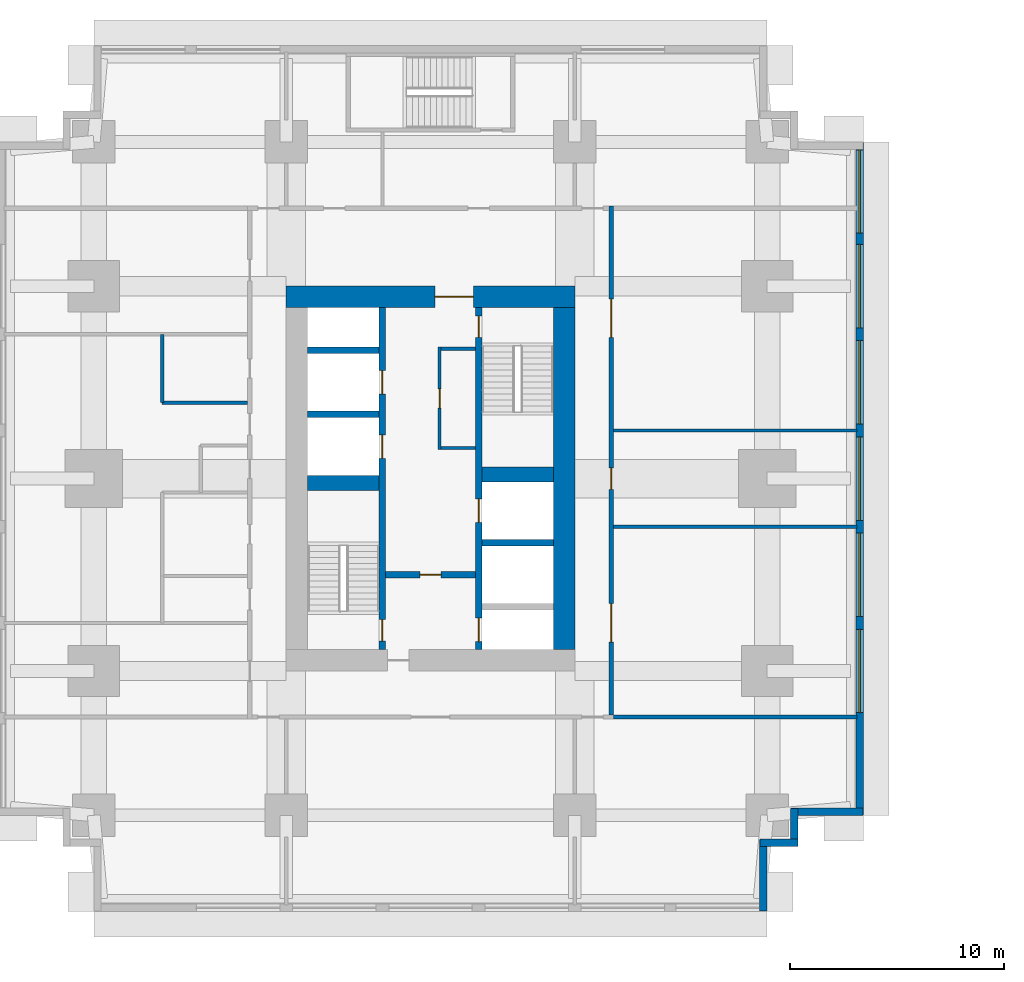
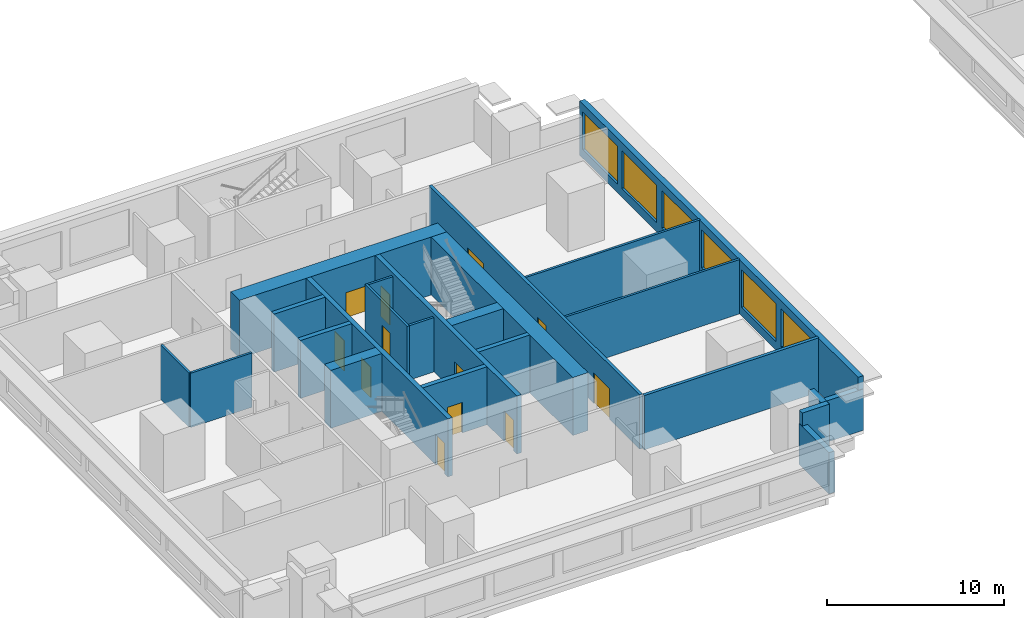
# One storey, part 4 of 11: 24 walls, 12 doors, 6 windows, 18 openings.
"""IFC4 building model written with IfcOpenShell, lengths in metres."""

from ifc_helpers import new_model, si_unit, direction, frame, frame_2d, origin, place, context, subcontext, project, spatial, rectangle, extrude, material, layer, layer_set, type_object, element, fill, save


model = new_model("IFC4")

# Units and contexts
model_context = context("Model", 3, precision=1e-05, world=origin(), true_north=direction((0.0, 1.0)))
body_context = subcontext(model_context, "Body", "Model", "MODEL_VIEW")
ifc_project = project(units=[si_unit("LENGTHUNIT", "METRE"), si_unit("AREAUNIT", "SQUARE_METRE"), si_unit("VOLUMEUNIT", "CUBIC_METRE"), si_unit("PLANEANGLEUNIT", "RADIAN"), si_unit("MASSUNIT", "GRAM", prefix="KILO")], contexts=[model_context])

# Site, building, storey
site_placement = place(None, origin())
site = spatial("IfcSite", under=ifc_project, at=site_placement, CompositionType="ELEMENT")
building_placement = place(site_placement, origin())
building = spatial("IfcBuilding", under=site, at=building_placement, Name="Namib Vertical Campus", CompositionType="ELEMENT")
storey_placement = place(building_placement, frame((0.0, 0.0, 57.0)))
storey = spatial("IfcBuildingStorey", under=building, at=storey_placement, Name="L13", CompositionType="ELEMENT", Elevation=57.0)

# Wall, openings, doors
ifc_material_1 = material(Name="Concrete C60/75", Category="concrete")
ifc_layer_1 = layer(ifc_material_1, 0.300048828125)
ifc_layer_set_1 = layer_set([ifc_layer_1], Name="Concrete C60/75")
wall_type_1 = type_object("IfcWallType", Name="Core inner wall 300", PredefinedType="SHEAR", material=ifc_layer_set_1)
wall_1_placement = place(storey_placement, frame((18.0, 12.25, 0.0), z_axis=(0.0, 0.0, 1.0), x_axis=(0.0, 1.0, 0.0)))
wall_1 = element("IfcWall", 1, at=wall_1_placement, inside=storey, type_object=wall_type_1, Name="Core inner wall A L13 W1", PredefinedType="SHEAR", context=body_context, shape_type="SweptSolid", body=[
    extrude(rectangle(XDim=16.0, YDim=0.300048828125, at=frame_2d((8.0, 0.0))), origin(), (0.0, 0.0, 1.0), 4.0),
])
opening_1_placement = place(wall_1_placement, frame((0.39990234375, 0.0, 0.0)))
opening_1 = element("IfcOpeningElement", 2, at=opening_1_placement, cuts=wall_1, Name="Opening FD1", PredefinedType="OPENING", context=body_context, shape_type="SweptSolid", body=[
    extrude(rectangle(XDim=1.0, YDim=2.10009765625, at=frame_2d((0.5, 1.050048828125))), frame((0.0, 0.159912109375, 0.0), z_axis=(0.0, -1.0, 0.0), x_axis=(1.0, 0.0, 0.0)), (0.0, 0.0, 1.0), 0.320068359375),
])
opening_2_placement = place(wall_1_placement, frame((8.949951171875, 0.0, 0.0)))
opening_2 = element("IfcOpeningElement", 3, at=opening_2_placement, cuts=wall_1, Name="Opening LD1", PredefinedType="OPENING", context=body_context, shape_type="SweptSolid", body=[
    extrude(rectangle(XDim=1.10009765625, YDim=2.10009765625, at=frame_2d((0.550048828125, 1.050048828125))), frame((0.0, 0.159912109375, 0.0), z_axis=(0.0, -1.0, 0.0), x_axis=(1.0, 0.0, 0.0)), (0.0, 0.0, 1.0), 0.320068359375),
])
opening_3_placement = place(wall_1_placement, frame((11.949951171875, 0.0, 0.0)))
opening_3 = element("IfcOpeningElement", 4, at=opening_3_placement, cuts=wall_1, Name="Opening LD1", PredefinedType="OPENING", context=body_context, shape_type="SweptSolid", body=[
    extrude(rectangle(XDim=1.10009765625, YDim=2.10009765625, at=frame_2d((0.550048828125, 1.050048828125))), frame((0.0, 0.159912109375, 0.0), z_axis=(0.0, -1.0, 0.0), x_axis=(1.0, 0.0, 0.0)), (0.0, 0.0, 1.0), 0.320068359375),
])
ifc_material_2 = material(Name="Steel fire door", Category="steel")
door_type_1 = type_object("IfcDoorType", Name="Fire door 1000x2100", OperationType="SINGLE_SWING_RIGHT", PredefinedType="DOOR", material=ifc_material_2)
door_1_placement = place(opening_1_placement, origin())
door_1 = element("IfcDoor", 5, at=door_1_placement, inside=storey, type_object=door_type_1, Name="Stair door FD1 A L13 S1", OperationType="SINGLE_SWING_LEFT", OverallHeight=2.10009765625, OverallWidth=1.0, PredefinedType="DOOR", context=body_context, shape_type="SweptSolid", body=[
    extrude(rectangle(XDim=1.0, YDim=2.10009765625, at=frame_2d((0.5, 1.050048828125))), frame((0.0, 0.02490234375, 0.0), z_axis=(0.0, -1.0, 0.0), x_axis=(1.0, 0.0, 0.0)), (0.0, 0.0, 1.0), 0.050048828125),
])
fill(opening_1, door_1)
ifc_material_3 = material(Name="Stainless steel lift door", Category="steel")
door_type_2 = type_object("IfcDoorType", Name="Lift landing door 1100x2100", OperationType="DOUBLE_DOOR_SLIDING", PredefinedType="DOOR", material=ifc_material_3)
door_2_placement = place(opening_2_placement, origin())
door_2 = element("IfcDoor", 6, at=door_2_placement, inside=storey, type_object=door_type_2, Name="Lift landing door LD1 A-P1 L13", OperationType="DOUBLE_DOOR_SLIDING", OverallHeight=2.10009765625, OverallWidth=1.10009765625, PredefinedType="DOOR", context=body_context, shape_type="SweptSolid", body=[
    extrude(rectangle(XDim=1.10009765625, YDim=2.10009765625, at=frame_2d((0.550048828125, 1.050048828125))), frame((0.0, 0.02490234375, 0.0), z_axis=(0.0, -1.0, 0.0), x_axis=(1.0, 0.0, 0.0)), (0.0, 0.0, 1.0), 0.050048828125),
])
fill(opening_2, door_2)
door_3_placement = place(opening_3_placement, origin())
door_3 = element("IfcDoor", 7, at=door_3_placement, inside=storey, type_object=door_type_2, Name="Lift landing door LD1 A-P2 L13", OperationType="DOUBLE_DOOR_SLIDING", OverallHeight=2.10009765625, OverallWidth=1.10009765625, PredefinedType="DOOR", context=body_context, shape_type="SweptSolid", body=[
    extrude(rectangle(XDim=1.10009765625, YDim=2.10009765625, at=frame_2d((0.550048828125, 1.050048828125))), frame((0.0, 0.02490234375, 0.0), z_axis=(0.0, -1.0, 0.0), x_axis=(1.0, 0.0, 0.0)), (0.0, 0.0, 1.0), 0.050048828125),
])
fill(opening_3, door_3)

wall_2_placement = place(storey_placement, frame((22.5, 12.25, 0.0), z_axis=(0.0, 0.0, 1.0), x_axis=(0.0, 1.0, 0.0)))
wall_2 = element("IfcWall", 8, at=wall_2_placement, inside=storey, type_object=wall_type_1, Name="Core inner wall A L13 W2", PredefinedType="SHEAR", context=body_context, shape_type="SweptSolid", body=[
    extrude(rectangle(XDim=16.0, YDim=0.300048828125, at=frame_2d((8.0, 0.0))), origin(), (0.0, 0.0, 1.0), 4.0),
])
opening_4_placement = place(wall_2_placement, frame((14.60009765625, 0.0, 0.0)))
opening_4 = element("IfcOpeningElement", 9, at=opening_4_placement, cuts=wall_2, Name="Opening FD1", PredefinedType="OPENING", context=body_context, shape_type="SweptSolid", body=[
    extrude(rectangle(XDim=1.0, YDim=2.10009765625, at=frame_2d((0.5, 1.050048828125))), frame((0.0, 0.159912109375, 0.0), z_axis=(0.0, -1.0, 0.0), x_axis=(1.0, 0.0, 0.0)), (0.0, 0.0, 1.0), 0.320068359375),
])
opening_5_placement = place(wall_2_placement, frame((0.375, 0.0, 0.0)))
opening_5 = element("IfcOpeningElement", 10, at=opening_5_placement, cuts=wall_2, Name="Opening LD1", PredefinedType="OPENING", context=body_context, shape_type="SweptSolid", body=[
    extrude(rectangle(XDim=1.10009765625, YDim=2.10009765625, at=frame_2d((0.550048828125, 1.050048828125))), frame((0.0, 0.159912109375, 0.0), z_axis=(0.0, -1.0, 0.0), x_axis=(1.0, 0.0, 0.0)), (0.0, 0.0, 1.0), 0.320068359375),
])
opening_6_placement = place(wall_2_placement, frame((5.949951171875, 0.0, 0.0)))
opening_6 = element("IfcOpeningElement", 11, at=opening_6_placement, cuts=wall_2, Name="Opening LD1", PredefinedType="OPENING", context=body_context, shape_type="SweptSolid", body=[
    extrude(rectangle(XDim=1.10009765625, YDim=2.10009765625, at=frame_2d((0.550048828125, 1.050048828125))), frame((0.0, 0.159912109375, 0.0), z_axis=(0.0, -1.0, 0.0), x_axis=(1.0, 0.0, 0.0)), (0.0, 0.0, 1.0), 0.320068359375),
])
door_4_placement = place(opening_4_placement, frame((1.0, 0.0, 0.0), z_axis=(0.0, 0.0, 1.0), x_axis=(-1.0, 0.0, 0.0)))
door_4 = element("IfcDoor", 12, at=door_4_placement, inside=storey, type_object=door_type_1, Name="Stair door FD1 A L13 S2", OperationType="SINGLE_SWING_LEFT", OverallHeight=2.10009765625, OverallWidth=1.0, PredefinedType="DOOR", context=body_context, shape_type="SweptSolid", body=[
    extrude(rectangle(XDim=1.0, YDim=2.10009765625, at=frame_2d((0.5, 1.050048828125))), frame((0.0, 0.02490234375, 0.0), z_axis=(0.0, -1.0, 0.0), x_axis=(1.0, 0.0, 0.0)), (0.0, 0.0, 1.0), 0.050048828125),
])
fill(opening_4, door_4)
door_5_placement = place(opening_5_placement, origin())
door_5 = element("IfcDoor", 13, at=door_5_placement, inside=storey, type_object=door_type_2, Name="Lift landing door LD1 A-FL1 L13", OperationType="DOUBLE_DOOR_SLIDING", OverallHeight=2.10009765625, OverallWidth=1.10009765625, PredefinedType="DOOR", context=body_context, shape_type="SweptSolid", body=[
    extrude(rectangle(XDim=1.10009765625, YDim=2.10009765625, at=frame_2d((0.550048828125, 1.050048828125))), frame((0.0, 0.02490234375, 0.0), z_axis=(0.0, -1.0, 0.0), x_axis=(1.0, 0.0, 0.0)), (0.0, 0.0, 1.0), 0.050048828125),
])
fill(opening_5, door_5)
door_6_placement = place(opening_6_placement, origin())
door_6 = element("IfcDoor", 14, at=door_6_placement, inside=storey, type_object=door_type_2, Name="Lift landing door LD1 A-P5 L13", OperationType="DOUBLE_DOOR_SLIDING", OverallHeight=2.10009765625, OverallWidth=1.10009765625, PredefinedType="DOOR", context=body_context, shape_type="SweptSolid", body=[
    extrude(rectangle(XDim=1.10009765625, YDim=2.10009765625, at=frame_2d((0.550048828125, 1.050048828125))), frame((0.0, 0.02490234375, 0.0), z_axis=(0.0, -1.0, 0.0), x_axis=(1.0, 0.0, 0.0)), (0.0, 0.0, 1.0), 0.050048828125),
])
fill(opening_6, door_6)

# Wall, opening, door
wall_3_placement = place(storey_placement, frame((18.14990234375, 15.75, 0.0), z_axis=(0.0, 0.0, 1.0), x_axis=(1.0, 0.0, 0.0)))
wall_3 = element("IfcWall", 15, at=wall_3_placement, inside=storey, type_object=wall_type_1, Name="Core inner wall A L13 W4", PredefinedType="SHEAR", context=body_context, shape_type="SweptSolid", body=[
    extrude(rectangle(XDim=4.2001953125, YDim=0.300048828125, at=frame_2d((2.10009765625, 0.0))), origin(), (0.0, 0.0, 1.0), 4.0),
])
opening_7_placement = place(wall_3_placement, frame((1.60009765625, 0.0, 0.0)))
opening_7 = element("IfcOpeningElement", 16, at=opening_7_placement, cuts=wall_3, Name="Opening FD5", PredefinedType="OPENING", context=body_context, shape_type="SweptSolid", body=[
    extrude(rectangle(XDim=1.0, YDim=2.10009765625, at=frame_2d((0.5, 1.050048828125))), frame((0.0, 0.159912109375, 0.0), z_axis=(0.0, -1.0, 0.0), x_axis=(1.0, 0.0, 0.0)), (0.0, 0.0, 1.0), 0.320068359375),
])
ifc_material_4 = material(Name="Steel fire door", Category="steel")
door_type_3 = type_object("IfcDoorType", Name="Fire door 1000x2100 120 min", OperationType="SINGLE_SWING_RIGHT", PredefinedType="DOOR", material=ifc_material_4)
door_7_placement = place(opening_7_placement, frame((1.0, 0.0, 0.0), z_axis=(0.0, 0.0, 1.0), x_axis=(-1.0, 0.0, 0.0)))
door_7 = element("IfcDoor", 17, at=door_7_placement, inside=storey, type_object=door_type_3, Name="Lobby door FD5 A L13", OperationType="SINGLE_SWING_RIGHT", OverallHeight=2.10009765625, OverallWidth=1.0, PredefinedType="DOOR", context=body_context, shape_type="SweptSolid", body=[
    extrude(rectangle(XDim=1.0, YDim=2.10009765625, at=frame_2d((0.5, 1.050048828125))), frame((0.0, 0.02490234375, 0.0), z_axis=(0.0, -1.0, 0.0), x_axis=(1.0, 0.0, 0.0)), (0.0, 0.0, 1.0), 0.050048828125),
])
fill(opening_7, door_7)

# Walls
for number, where, z_axis, x_axis, name in (
    (18, (22.64990234375, 17.25, 0.0), (0.0, 0.0, 1.0), (1.0, 0.0, 0.0), "Core inner wall A L13 W6"),
    (19, (14.5, 23.25, 0.0), (0.0, 0.0, 1.0), (1.0, 0.0, 0.0), "Core inner wall A L13 W8"),
    (20, (14.5, 26.25, 0.0), (0.0, 0.0, 1.0), (1.0, 0.0, 0.0), "Core inner wall A L13 W9"),
):
    element("IfcWall", number, at=place(storey_placement, frame(where, z_axis=z_axis, x_axis=x_axis)), inside=storey, type_object=wall_type_1, Name=name, PredefinedType="SHEAR", context=body_context, shape_type="SweptSolid", body=[
        extrude(rectangle(XDim=3.35009765625, YDim=0.300048828125, at=frame_2d((1.675048828125, 0.0))), origin(), (0.0, 0.0, 1.0), 4.0),
    ])
ifc_material_5 = material(Name="Concrete C60/75", Category="concrete")
ifc_layer_2 = layer(ifc_material_5, 0.699951171875)
ifc_layer_set_2 = layer_set([ifc_layer_2], Name="Concrete C60/75")
wall_type_2 = type_object("IfcWallType", Name="Core shear wall 700", PredefinedType="SHEAR", material=ifc_layer_set_2)
for number, where, z_axis, x_axis, name in (
    (21, (14.5, 20.050048828125, 0.0), (0.0, 0.0, 1.0), (1.0, 0.0, 0.0), "Core shear wall A L13 W3"),
    (22, (22.64990234375, 20.449951171875, 0.0), (0.0, 0.0, 1.0), (1.0, 0.0, 0.0), "Core shear wall A L13 W7"),
):
    element("IfcWall", number, at=place(storey_placement, frame(where, z_axis=z_axis, x_axis=x_axis)), inside=storey, type_object=wall_type_2, Name=name, PredefinedType="SHEAR", context=body_context, shape_type="SweptSolid", body=[
        extrude(rectangle(XDim=3.35009765625, YDim=0.699951171875, at=frame_2d((1.675048828125, 0.0))), origin(), (0.0, 0.0, 1.0), 4.0),
    ])
ifc_material_6 = material(Name="Concrete C60/75", Category="concrete")
ifc_layer_3 = layer(ifc_material_6, 1.0)
ifc_layer_set_3 = layer_set([ifc_layer_3], Name="Concrete C60/75")
wall_type_3 = type_object("IfcWallType", Name="Core wall 1000", PredefinedType="SHEAR", material=ifc_layer_set_3)
wall_4_placement = place(storey_placement, frame((26.5, 12.25, 0.0), z_axis=(0.0, 0.0, 1.0), x_axis=(0.0, 1.0, 0.0)))
element("IfcWall", 23, at=wall_4_placement, inside=storey, type_object=wall_type_3, Name="Core wall A L13 2", PredefinedType="SHEAR", context=body_context, shape_type="SweptSolid", body=[
    extrude(rectangle(XDim=16.0, YDim=1.0, at=frame_2d((8.0, 0.0))), origin(), (0.0, 0.0, 1.0), 4.0),
])

# Wall, opening, door
wall_5_placement = place(storey_placement, frame((27.0, 28.75, 0.0), z_axis=(0.0, 0.0, 1.0), x_axis=(-1.0, 0.0, 0.0)))
wall_5 = element("IfcWall", 24, at=wall_5_placement, inside=storey, type_object=wall_type_3, Name="Core wall A L13 3", PredefinedType="SHEAR", context=body_context, shape_type="SweptSolid", body=[
    extrude(rectangle(XDim=13.5, YDim=1.0, at=frame_2d((6.75, 0.0))), origin(), (0.0, 0.0, 1.0), 4.0),
])
opening_8_placement = place(wall_5_placement, frame((4.75, 0.0, 0.0)))
opening_8 = element("IfcOpeningElement", 25, at=opening_8_placement, cuts=wall_5, Name="Opening FD2", PredefinedType="OPENING", context=body_context, shape_type="SweptSolid", body=[
    extrude(rectangle(XDim=1.800048828125, YDim=2.10009765625, at=frame_2d((0.89990234375, 1.050048828125))), frame((0.0, 0.510009765625, 0.0), z_axis=(0.0, -1.0, 0.0), x_axis=(1.0, 0.0, 0.0)), (0.0, 0.0, 1.0), 1.02001953125),
])
ifc_material_7 = material(Name="Steel fire door", Category="steel")
door_type_4 = type_object("IfcDoorType", Name="Fire door double 1800x2100", OperationType="DOUBLE_DOOR_SINGLE_SWING", PredefinedType="DOOR", material=ifc_material_7)
door_8_placement = place(opening_8_placement, origin())
door_8 = element("IfcDoor", 26, at=door_8_placement, inside=storey, type_object=door_type_4, Name="Lift lobby door FD2 A L13", OperationType="DOUBLE_DOOR_SINGLE_SWING", OverallHeight=2.10009765625, OverallWidth=1.800048828125, PredefinedType="DOOR", context=body_context, shape_type="SweptSolid", body=[
    extrude(rectangle(XDim=1.800048828125, YDim=2.10009765625, at=frame_2d((0.89990234375, 1.050048828125))), frame((0.0, 0.02490234375, 0.0), z_axis=(0.0, -1.0, 0.0), x_axis=(1.0, 0.0, 0.0)), (0.0, 0.0, 1.0), 0.050048828125),
])
fill(opening_8, door_8)

# Wall, openings, doors
ifc_material_8 = material(Name="Concrete masonry", Category="masonry")
ifc_layer_4 = layer(ifc_material_8, 0.199951171875)
ifc_layer_set_4 = layer_set([ifc_layer_4], Name="Corridor wall 200")
wall_type_4 = type_object("IfcWallType", Name="Corridor wall 200", PredefinedType="SOLIDWALL", material=ifc_layer_set_4)
wall_6_placement = place(storey_placement, frame((28.699951171875, 9.199951171875, 0.0), z_axis=(0.0, 0.0, 1.0), x_axis=(0.0, 1.0, 0.0)))
wall_6 = element("IfcWall", 27, at=wall_6_placement, inside=storey, type_object=wall_type_4, Name="Corridor wall A L13 CE", PredefinedType="SOLIDWALL", context=body_context, shape_type="SweptSolid", body=[
    extrude(rectangle(XDim=23.800048828125, YDim=0.199951171875, at=frame_2d((11.89990234375, 0.0))), origin(), (0.0, 0.0, 1.0), 3.75),
])
opening_9_placement = place(wall_6_placement, frame((3.39990234375, 0.0, 0.0)))
opening_9 = element("IfcOpeningElement", 28, at=opening_9_placement, cuts=wall_6, Name="Opening CD2", PredefinedType="OPENING", context=body_context, shape_type="SweptSolid", body=[
    extrude(rectangle(XDim=1.800048828125, YDim=2.10009765625, at=frame_2d((0.89990234375, 1.050048828125))), frame((0.0, 0.10986328125, 0.0), z_axis=(0.0, -1.0, 0.0), x_axis=(1.0, 0.0, 0.0)), (0.0, 0.0, 1.0), 0.219970703125),
])
opening_10_placement = place(wall_6_placement, frame((10.550048828125, 0.0, 0.0)))
opening_10 = element("IfcOpeningElement", 29, at=opening_10_placement, cuts=wall_6, Name="Opening CD1", PredefinedType="OPENING", context=body_context, shape_type="SweptSolid", body=[
    extrude(rectangle(XDim=1.0, YDim=2.10009765625, at=frame_2d((0.5, 1.050048828125))), frame((0.0, 0.10986328125, 0.0), z_axis=(0.0, -1.0, 0.0), x_axis=(1.0, 0.0, 0.0)), (0.0, 0.0, 1.0), 0.219970703125),
])
opening_11_placement = place(wall_6_placement, frame((17.64990234375, 0.0, 0.0)))
opening_11 = element("IfcOpeningElement", 30, at=opening_11_placement, cuts=wall_6, Name="Opening CD2", PredefinedType="OPENING", context=body_context, shape_type="SweptSolid", body=[
    extrude(rectangle(XDim=1.800048828125, YDim=2.10009765625, at=frame_2d((0.89990234375, 1.050048828125))), frame((0.0, 0.10986328125, 0.0), z_axis=(0.0, -1.0, 0.0), x_axis=(1.0, 0.0, 0.0)), (0.0, 0.0, 1.0), 0.219970703125),
])
ifc_material_9 = material(Name="Timber fire door leaf", Category="wood")
door_type_5 = type_object("IfcDoorType", Name="Corridor door 1000x2100 20 min", OperationType="SINGLE_SWING_LEFT", PredefinedType="DOOR", material=ifc_material_9)
door_9_placement = place(opening_10_placement, frame((1.0, 0.0, 0.0), z_axis=(0.0, 0.0, 1.0), x_axis=(-1.0, 0.0, 0.0)))
door_9 = element("IfcDoor", 31, at=door_9_placement, inside=storey, type_object=door_type_5, Name="Door CD1 A13-05", OperationType="SINGLE_SWING_RIGHT", OverallHeight=2.10009765625, OverallWidth=1.0, PredefinedType="DOOR", context=body_context, shape_type="SweptSolid", body=[
    extrude(rectangle(XDim=1.0, YDim=2.10009765625, at=frame_2d((0.5, 1.050048828125))), frame((0.0, 0.02490234375, 0.0), z_axis=(0.0, -1.0, 0.0), x_axis=(1.0, 0.0, 0.0)), (0.0, 0.0, 1.0), 0.050048828125),
])
fill(opening_10, door_9)
ifc_material_10 = material(Name="Timber fire door leaf", Category="wood")
door_type_6 = type_object("IfcDoorType", Name="Corridor door double 1800x2100 20 min", OperationType="DOUBLE_DOOR_SINGLE_SWING", PredefinedType="DOOR", material=ifc_material_10)
door_10_placement = place(opening_9_placement, frame((1.800048828125, 0.0, 0.0), z_axis=(0.0, 0.0, 1.0), x_axis=(-1.0, 0.0, 0.0)))
door_10 = element("IfcDoor", 32, at=door_10_placement, inside=storey, type_object=door_type_6, Name="Door CD2 A13-04", OperationType="DOUBLE_DOOR_SINGLE_SWING", OverallHeight=2.10009765625, OverallWidth=1.800048828125, PredefinedType="DOOR", context=body_context, shape_type="SweptSolid", body=[
    extrude(rectangle(XDim=1.800048828125, YDim=2.10009765625, at=frame_2d((0.89990234375, 1.050048828125))), frame((0.0, 0.02490234375, 0.0), z_axis=(0.0, -1.0, 0.0), x_axis=(1.0, 0.0, 0.0)), (0.0, 0.0, 1.0), 0.050048828125),
])
fill(opening_9, door_10)
door_11_placement = place(opening_11_placement, frame((1.800048828125, 0.0, 0.0), z_axis=(0.0, 0.0, 1.0), x_axis=(-1.0, 0.0, 0.0)))
door_11 = element("IfcDoor", 33, at=door_11_placement, inside=storey, type_object=door_type_6, Name="Door CD2 A13-06", OperationType="DOUBLE_DOOR_SINGLE_SWING", OverallHeight=2.10009765625, OverallWidth=1.800048828125, PredefinedType="DOOR", context=body_context, shape_type="SweptSolid", body=[
    extrude(rectangle(XDim=1.800048828125, YDim=2.10009765625, at=frame_2d((0.89990234375, 1.050048828125))), frame((0.0, 0.02490234375, 0.0), z_axis=(0.0, -1.0, 0.0), x_axis=(1.0, 0.0, 0.0)), (0.0, 0.0, 1.0), 0.050048828125),
])
fill(opening_11, door_11)

# Walls
wall_7_placement = place(storey_placement, frame((28.800048828125, 9.10009765625, 0.0), z_axis=(0.0, 0.0, 1.0), x_axis=(1.0, 0.0, 0.0)))
element("IfcWall", 34, at=wall_7_placement, inside=storey, type_object=wall_type_4, Name="Partition A L13 BSE", PredefinedType="SOLIDWALL", context=body_context, shape_type="SweptSolid", body=[
    extrude(rectangle(XDim=11.39990234375, YDim=0.199951171875, at=frame_2d((5.699951171875, 0.0))), origin(), (0.0, 0.0, 1.0), 3.75),
])
ifc_material_11 = material(Name="Concrete C40/50", Category="concrete")
ifc_layer_5 = layer(ifc_material_11, 0.35009765625)
ifc_layer_set_5 = layer_set([ifc_layer_5], Name="Concrete C40/50")
wall_type_5 = type_object("IfcWallType", Name="External wall 350 bush-hammered concrete", PredefinedType="STANDARD", material=ifc_layer_set_5)
wall_8_placement = place(storey_placement, frame((35.824951171875, 0.02001953125, 0.0), z_axis=(0.0, 0.0, 1.0), x_axis=(0.0, 1.0, 0.0)))
element("IfcWall", 35, at=wall_8_placement, inside=storey, type_object=wall_type_5, Name="External wall L13 F02", PredefinedType="STANDARD", context=body_context, shape_type="SweptSolid", body=[
    extrude(rectangle(XDim=3.35986328125, YDim=0.35009765625, at=frame_2d((1.679931640625, 0.0))), origin(), (0.0, 0.0, 1.0), 2.85009765625),
])
for number, where, z_axis, x_axis, name in (
    (36, (35.669921875, 3.22509765625, 0.0), (0.0, 0.0, 1.0), (1.0, 0.0, 0.0), "External wall L13 F03"),
    (37, (37.27490234375, 3.070068359375, 0.0), (0.0, 0.0, 1.0), (0.0, 1.0, 0.0), "External wall L13 F04"),
):
    element("IfcWall", number, at=place(storey_placement, frame(where, z_axis=z_axis, x_axis=x_axis)), inside=storey, type_object=wall_type_5, Name=name, PredefinedType="STANDARD", context=body_context, shape_type="SweptSolid", body=[
        extrude(rectangle(XDim=1.760009765625, YDim=0.35009765625, at=frame_2d((0.8798828125, 0.0))), origin(), (0.0, 0.0, 1.0), 3.75),
    ])
wall_9_placement = place(storey_placement, frame((37.1201171875, 4.675048828125, 0.0), z_axis=(0.0, 0.0, 1.0), x_axis=(1.0, 0.0, 0.0)))
element("IfcWall", 38, at=wall_9_placement, inside=storey, type_object=wall_type_5, Name="External wall L13 F05", PredefinedType="STANDARD", context=body_context, shape_type="SweptSolid", body=[
    extrude(rectangle(XDim=3.35986328125, YDim=0.35009765625, at=frame_2d((1.679931640625, 0.0))), origin(), (0.0, 0.0, 1.0), 2.85009765625),
])

# Wall, openings, windows
wall_10_placement = place(storey_placement, frame((40.324951171875, 4.52001953125, 0.0), z_axis=(0.0, 0.0, 1.0), x_axis=(0.0, 1.0, 0.0)))
wall_10 = element("IfcWall", 39, at=wall_10_placement, inside=storey, type_object=wall_type_5, Name="External wall L13 F06", PredefinedType="STANDARD", context=body_context, shape_type="SweptSolid", body=[
    extrude(rectangle(XDim=31.4599609375, YDim=0.35009765625, at=frame_2d((15.72998046875, 0.0))), origin(), (0.0, 0.0, 1.0), 3.75),
])
opening_12_placement = place(wall_10_placement, frame((4.780029296875, 0.0, 0.60009765625)))
opening_12 = element("IfcOpeningElement", 40, at=opening_12_placement, cuts=wall_10, Name="Opening W2", PredefinedType="OPENING", context=body_context, shape_type="SweptSolid", body=[
    extrude(rectangle(XDim=3.89990234375, YDim=2.60009765625, at=frame_2d((1.949951171875, 1.300048828125))), frame((0.0, 0.18505859375, 0.0), z_axis=(0.0, -1.0, 0.0), x_axis=(1.0, 0.0, 0.0)), (0.0, 0.0, 1.0), 0.3701171875),
])
opening_13_placement = place(wall_10_placement, frame((9.280029296875, 0.0, 0.60009765625)))
opening_13 = element("IfcOpeningElement", 41, at=opening_13_placement, cuts=wall_10, Name="Opening W2", PredefinedType="OPENING", context=body_context, shape_type="SweptSolid", body=[
    extrude(rectangle(XDim=3.89990234375, YDim=2.60009765625, at=frame_2d((1.949951171875, 1.300048828125))), frame((0.0, 0.18505859375, 0.0), z_axis=(0.0, -1.0, 0.0), x_axis=(1.0, 0.0, 0.0)), (0.0, 0.0, 1.0), 0.3701171875),
])
opening_14_placement = place(wall_10_placement, frame((13.780029296875, 0.0, 0.60009765625)))
opening_14 = element("IfcOpeningElement", 42, at=opening_14_placement, cuts=wall_10, Name="Opening W2", PredefinedType="OPENING", context=body_context, shape_type="SweptSolid", body=[
    extrude(rectangle(XDim=3.89990234375, YDim=2.60009765625, at=frame_2d((1.949951171875, 1.300048828125))), frame((0.0, 0.18505859375, 0.0), z_axis=(0.0, -1.0, 0.0), x_axis=(1.0, 0.0, 0.0)), (0.0, 0.0, 1.0), 0.3701171875),
])
opening_15_placement = place(wall_10_placement, frame((18.280029296875, 0.0, 0.60009765625)))
opening_15 = element("IfcOpeningElement", 43, at=opening_15_placement, cuts=wall_10, Name="Opening W2", PredefinedType="OPENING", context=body_context, shape_type="SweptSolid", body=[
    extrude(rectangle(XDim=3.89990234375, YDim=2.60009765625, at=frame_2d((1.949951171875, 1.300048828125))), frame((0.0, 0.18505859375, 0.0), z_axis=(0.0, -1.0, 0.0), x_axis=(1.0, 0.0, 0.0)), (0.0, 0.0, 1.0), 0.3701171875),
])
opening_16_placement = place(wall_10_placement, frame((22.780029296875, 0.0, 0.60009765625)))
opening_16 = element("IfcOpeningElement", 44, at=opening_16_placement, cuts=wall_10, Name="Opening W2", PredefinedType="OPENING", context=body_context, shape_type="SweptSolid", body=[
    extrude(rectangle(XDim=3.89990234375, YDim=2.60009765625, at=frame_2d((1.949951171875, 1.300048828125))), frame((0.0, 0.18505859375, 0.0), z_axis=(0.0, -1.0, 0.0), x_axis=(1.0, 0.0, 0.0)), (0.0, 0.0, 1.0), 0.3701171875),
])
opening_17_placement = place(wall_10_placement, frame((27.2099609375, 0.0, 0.60009765625)))
opening_17 = element("IfcOpeningElement", 45, at=opening_17_placement, cuts=wall_10, Name="Opening W2", PredefinedType="OPENING", context=body_context, shape_type="SweptSolid", body=[
    extrude(rectangle(XDim=3.89990234375, YDim=2.60009765625, at=frame_2d((1.949951171875, 1.300048828125))), frame((0.0, 0.18505859375, 0.0), z_axis=(0.0, -1.0, 0.0), x_axis=(1.0, 0.0, 0.0)), (0.0, 0.0, 1.0), 0.3701171875),
])
ifc_material_12 = material(Name="Dark tinted glass in black aluminium frame", Category="aluminium")
window_type = type_object("IfcWindowType", Name="Ribbon window 3900x2600", PartitioningType="SINGLE_PANEL", PredefinedType="WINDOW", material=ifc_material_12)
window_1_placement = place(opening_12_placement, origin())
window_1 = element("IfcWindow", 46, at=window_1_placement, inside=storey, type_object=window_type, Name="Window W2 L13 F06-2", OverallHeight=2.60009765625, OverallWidth=3.89990234375, PartitioningType="SINGLE_PANEL", PredefinedType="WINDOW", context=body_context, shape_type="SweptSolid", body=[
    extrude(rectangle(XDim=3.89990234375, YDim=2.60009765625, at=frame_2d((1.949951171875, 1.300048828125))), frame((0.0, 0.030029296875, 0.0), z_axis=(0.0, -1.0, 0.0), x_axis=(1.0, 0.0, 0.0)), (0.0, 0.0, 1.0), 0.06005859375),
])
fill(opening_12, window_1)
window_2_placement = place(opening_13_placement, origin())
window_2 = element("IfcWindow", 47, at=window_2_placement, inside=storey, type_object=window_type, Name="Window W2 L13 F06-3", OverallHeight=2.60009765625, OverallWidth=3.89990234375, PartitioningType="SINGLE_PANEL", PredefinedType="WINDOW", context=body_context, shape_type="SweptSolid", body=[
    extrude(rectangle(XDim=3.89990234375, YDim=2.60009765625, at=frame_2d((1.949951171875, 1.300048828125))), frame((0.0, 0.030029296875, 0.0), z_axis=(0.0, -1.0, 0.0), x_axis=(1.0, 0.0, 0.0)), (0.0, 0.0, 1.0), 0.06005859375),
])
fill(opening_13, window_2)
window_3_placement = place(opening_14_placement, origin())
window_3 = element("IfcWindow", 48, at=window_3_placement, inside=storey, type_object=window_type, Name="Window W2 L13 F06-4", OverallHeight=2.60009765625, OverallWidth=3.89990234375, PartitioningType="SINGLE_PANEL", PredefinedType="WINDOW", context=body_context, shape_type="SweptSolid", body=[
    extrude(rectangle(XDim=3.89990234375, YDim=2.60009765625, at=frame_2d((1.949951171875, 1.300048828125))), frame((0.0, 0.030029296875, 0.0), z_axis=(0.0, -1.0, 0.0), x_axis=(1.0, 0.0, 0.0)), (0.0, 0.0, 1.0), 0.06005859375),
])
fill(opening_14, window_3)
window_4_placement = place(opening_15_placement, origin())
window_4 = element("IfcWindow", 49, at=window_4_placement, inside=storey, type_object=window_type, Name="Window W2 L13 F06-5", OverallHeight=2.60009765625, OverallWidth=3.89990234375, PartitioningType="SINGLE_PANEL", PredefinedType="WINDOW", context=body_context, shape_type="SweptSolid", body=[
    extrude(rectangle(XDim=3.89990234375, YDim=2.60009765625, at=frame_2d((1.949951171875, 1.300048828125))), frame((0.0, 0.030029296875, 0.0), z_axis=(0.0, -1.0, 0.0), x_axis=(1.0, 0.0, 0.0)), (0.0, 0.0, 1.0), 0.06005859375),
])
fill(opening_15, window_4)
window_5_placement = place(opening_16_placement, origin())
window_5 = element("IfcWindow", 50, at=window_5_placement, inside=storey, type_object=window_type, Name="Window W2 L13 F06-6", OverallHeight=2.60009765625, OverallWidth=3.89990234375, PartitioningType="SINGLE_PANEL", PredefinedType="WINDOW", context=body_context, shape_type="SweptSolid", body=[
    extrude(rectangle(XDim=3.89990234375, YDim=2.60009765625, at=frame_2d((1.949951171875, 1.300048828125))), frame((0.0, 0.030029296875, 0.0), z_axis=(0.0, -1.0, 0.0), x_axis=(1.0, 0.0, 0.0)), (0.0, 0.0, 1.0), 0.06005859375),
])
fill(opening_16, window_5)
window_6_placement = place(opening_17_placement, origin())
window_6 = element("IfcWindow", 51, at=window_6_placement, inside=storey, type_object=window_type, Name="Window W2 L13 F06-7", OverallHeight=2.60009765625, OverallWidth=3.89990234375, PartitioningType="SINGLE_PANEL", PredefinedType="WINDOW", context=body_context, shape_type="SweptSolid", body=[
    extrude(rectangle(XDim=3.89990234375, YDim=2.60009765625, at=frame_2d((1.949951171875, 1.300048828125))), frame((0.0, 0.030029296875, 0.0), z_axis=(0.0, -1.0, 0.0), x_axis=(1.0, 0.0, 0.0)), (0.0, 0.0, 1.0), 0.06005859375),
])
fill(opening_17, window_6)

# Wall, opening, door
ifc_material_13 = material(Name="Gypsum board on steel studs", Category="steel")
ifc_layer_6 = layer(ifc_material_13, 0.14990234375)
ifc_layer_set_6 = layer_set([ifc_layer_6], Name="Gypsum board on steel studs")
wall_type_6 = type_object("IfcWallType", Name="Partition 150", PredefinedType="PARTITIONING", material=ifc_layer_set_6)
wall_11_placement = place(storey_placement, frame((20.675048828125, 21.60009765625, 0.0), z_axis=(0.0, 0.0, 1.0), x_axis=(0.0, 1.0, 0.0)))
wall_11 = element("IfcWall", 52, at=wall_11_placement, inside=storey, type_object=wall_type_6, Name="Partition A L13 Staff pantry front", PredefinedType="PARTITIONING", context=body_context, shape_type="SweptSolid", body=[
    extrude(rectangle(XDim=4.7998046875, YDim=0.14990234375, at=frame_2d((2.39990234375, 0.0))), origin(), (0.0, 0.0, 1.0), 3.75),
])
opening_18_placement = place(wall_11_placement, frame((1.949951171875, 0.0, 0.0)))
opening_18 = element("IfcOpeningElement", 53, at=opening_18_placement, cuts=wall_11, Name="Opening D3", PredefinedType="OPENING", context=body_context, shape_type="SweptSolid", body=[
    extrude(rectangle(XDim=0.89990234375, YDim=2.10009765625, at=frame_2d((0.449951171875, 1.050048828125))), frame((0.0, 0.0849609375, 0.0), z_axis=(0.0, -1.0, 0.0), x_axis=(1.0, 0.0, 0.0)), (0.0, 0.0, 1.0), 0.169921875),
])
ifc_material_14 = material(Name="Timber door leaf", Category="wood")
door_type_7 = type_object("IfcDoorType", Name="Toilet door 900x2100", OperationType="SINGLE_SWING_LEFT", PredefinedType="DOOR", material=ifc_material_14)
door_12_placement = place(opening_18_placement, frame((0.89990234375, 0.0, 0.0), z_axis=(0.0, 0.0, 1.0), x_axis=(-1.0, 0.0, 0.0)))
door_12 = element("IfcDoor", 54, at=door_12_placement, inside=storey, type_object=door_type_7, Name="Door D3 Staff pantry A L13", OperationType="SINGLE_SWING_RIGHT", OverallHeight=2.10009765625, OverallWidth=0.89990234375, PredefinedType="DOOR", context=body_context, shape_type="SweptSolid", body=[
    extrude(rectangle(XDim=0.89990234375, YDim=2.10009765625, at=frame_2d((0.449951171875, 1.050048828125))), frame((0.0, 0.02490234375, 0.0), z_axis=(0.0, -1.0, 0.0), x_axis=(1.0, 0.0, 0.0)), (0.0, 0.0, 1.0), 0.050048828125),
])
fill(opening_18, door_12)

# Walls
for number, where, z_axis, x_axis, name in (
    (55, (20.75, 21.675048828125, 0.0), (0.0, 0.0, 1.0), (1.0, 0.0, 0.0), "Partition A L13 Staff pantry end 1"),
    (56, (20.75, 26.324951171875, 0.0), (0.0, 0.0, 1.0), (1.0, 0.0, 0.0), "Partition A L13 Staff pantry end 2"),
):
    element("IfcWall", number, at=place(storey_placement, frame(where, z_axis=z_axis, x_axis=x_axis)), inside=storey, type_object=wall_type_6, Name=name, PredefinedType="PARTITIONING", context=body_context, shape_type="SweptSolid", body=[
        extrude(rectangle(XDim=1.60009765625, YDim=0.14990234375, at=frame_2d((0.800048828125, 0.0))), origin(), (0.0, 0.0, 1.0), 3.75),
    ])
for number, where, z_axis, x_axis, name in (
    (57, (28.800048828125, 18.0, 0.0), (0.0, 0.0, 1.0), (1.0, 0.0, 0.0), "Partition A L13 PE1"),
    (58, (28.800048828125, 22.5, 0.0), (0.0, 0.0, 1.0), (1.0, 0.0, 0.0), "Partition A L13 PE2"),
):
    element("IfcWall", number, at=place(storey_placement, frame(where, z_axis=z_axis, x_axis=x_axis)), inside=storey, type_object=wall_type_6, Name=name, PredefinedType="PARTITIONING", context=body_context, shape_type="SweptSolid", body=[
        extrude(rectangle(XDim=11.39990234375, YDim=0.14990234375, at=frame_2d((5.699951171875, 0.0))), origin(), (0.0, 0.0, 1.0), 3.75),
    ])
wall_12_placement = place(storey_placement, frame((11.699951171875, 23.800048828125, 0.0), z_axis=(0.0, 0.0, 1.0), x_axis=(-1.0, 0.0, 0.0)))
element("IfcWall", 59, at=wall_12_placement, inside=storey, type_object=wall_type_6, Name="Partition A L13 WR4", PredefinedType="PARTITIONING", context=body_context, shape_type="SweptSolid", body=[
    extrude(rectangle(XDim=4.0, YDim=0.14990234375, at=frame_2d((2.0, 0.0))), origin(), (0.0, 0.0, 1.0), 3.75),
])
wall_13_placement = place(storey_placement, frame((7.699951171875, 23.800048828125, 0.0), z_axis=(0.0, 0.0, 1.0), x_axis=(0.0, 1.0, 0.0)))
element("IfcWall", 60, at=wall_13_placement, inside=storey, type_object=wall_type_6, Name="Partition A L13 WB4", PredefinedType="PARTITIONING", context=body_context, shape_type="SweptSolid", body=[
    extrude(rectangle(XDim=3.199951171875, YDim=0.14990234375, at=frame_2d((1.60009765625, 0.0))), origin(), (0.0, 0.0, 1.0), 3.75),
])

save(model, "model.ifc")
